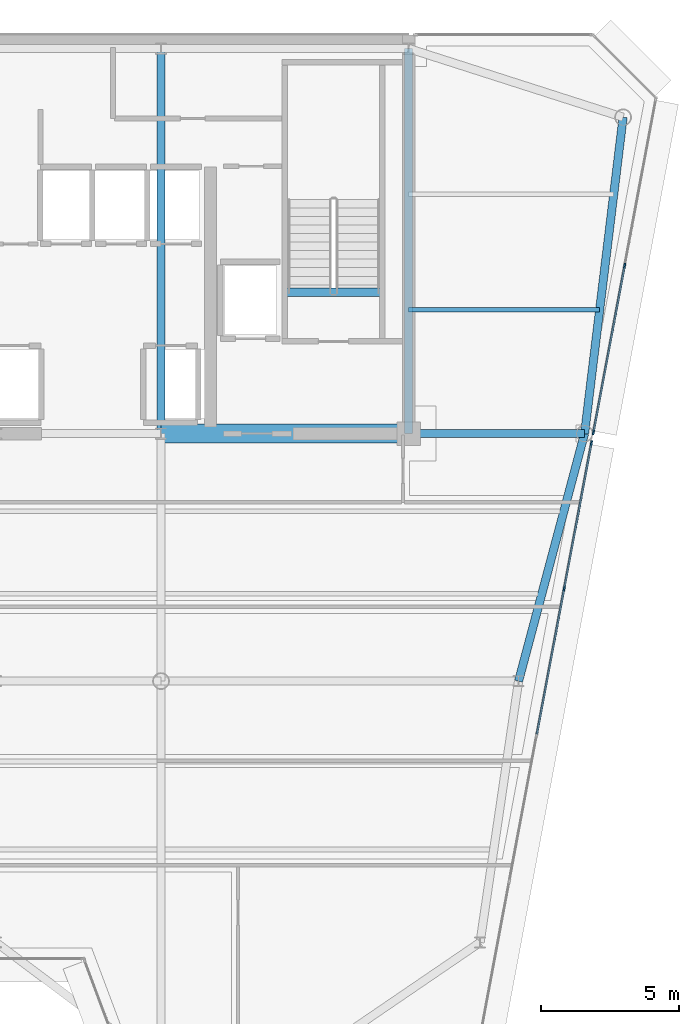
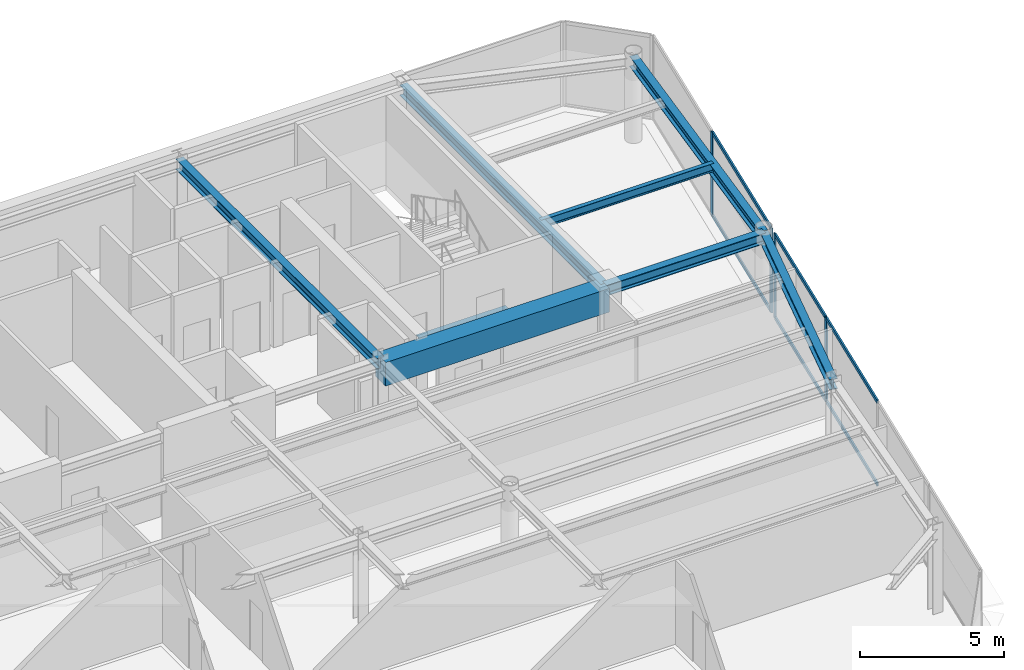
# One storey, part 7 of 20: 10 members, 8 beams, 2 elements without a shape of their own.
"""IFC4 building model written with IfcOpenShell, lengths in metres."""

from ifc_helpers import new_model, si_unit, direction, frame, origin, origin_2d, place, context, subcontext, project, spatial, rectangle, i_section, extrude, source, transform, mapped, material, layer, layer_set, material_profile, profile_set, type_object, element, aggregate, save


model = new_model("IFC4")

# Units and contexts
model_context = context("Model", 3, precision=1e-05, world=origin(), true_north=direction((0.0, 1.0)))
body_context = subcontext(model_context, "Body", "Model", "MODEL_VIEW")
ifc_project = project(units=[si_unit("LENGTHUNIT", "METRE"), si_unit("AREAUNIT", "SQUARE_METRE"), si_unit("VOLUMEUNIT", "CUBIC_METRE"), si_unit("PLANEANGLEUNIT", "RADIAN"), si_unit("MASSUNIT", "GRAM", prefix="KILO")], contexts=[model_context])

# Site, building, storey
site_placement = place(None, origin())
site = spatial("IfcSite", under=ifc_project, at=site_placement, CompositionType="ELEMENT")
building_placement = place(site_placement, origin())
building = spatial("IfcBuilding", under=site, at=building_placement, Name="Vaeldorn Concourse Tower", CompositionType="ELEMENT")
storey_placement = place(building_placement, frame((0.0, 0.0, 291.60009765625)))
storey = spatial("IfcBuildingStorey", under=building, at=storey_placement, Name="L75", CompositionType="ELEMENT", Elevation=291.60009765625)

# Beams
ifc_material_1 = material(Name="Concrete C50/60", Category="concrete")
ifc_material_profile_1 = material_profile(ifc_material_1, rectangle(XDim=0.699951171875, YDim=1.0, at=origin_2d()), Name="RC 700x1000")
ifc_profile_set_1 = profile_set([ifc_material_profile_1], Name="Concrete C50/60")
beam_type_1 = type_object("IfcBeamType", Name="BM-CB-RC700", PredefinedType="BEAM", material=ifc_profile_set_1)
shared_shape_1 = source(origin(), body_context, "Body", "SweptSolid", [
    extrude(rectangle(XDim=0.699951171875, YDim=1.0, at=origin_2d()), origin(), (0.0, 0.0, 1.0), 9.0),
])
beam_1_placement = place(storey_placement, frame((45.0, 36.5, 3.079833984375), z_axis=(1.0, 0.0, 0.0), x_axis=(0.0, 1.0, 0.0)))
element("IfcBeam", 1, at=beam_1_placement, inside=storey, type_object=beam_type_1, Name="Core Coupling Beam L75-2", PredefinedType="BEAM", context=body_context, shape_type="MappedRepresentation", body=[
    mapped(shared_shape_1, transform((0.0, 0.0, 0.0), scale=1.0)),
])
ifc_material_2 = material(Name="Steel S355", Category="steel")
ifc_material_profile_2 = material_profile(ifc_material_2, i_section(OverallWidth=0.300048828125, OverallDepth=0.340087890625, WebThickness=0.011962890625, FlangeThickness=0.021484375, FilletRadius=0.027099609375, at=origin_2d()), Name="HEB 340")
ifc_profile_set_2 = profile_set([ifc_material_profile_2], Name="Steel S355")
beam_type_2 = type_object("IfcBeamType", Name="BM-ST-TRIM", PredefinedType="BEAM", material=ifc_profile_set_2)
shared_shape_2 = source(origin(), body_context, "Body", "SweptSolid", [
    extrude(i_section(OverallWidth=0.300048828125, OverallDepth=0.340087890625, WebThickness=0.011962890625, FlangeThickness=0.021484375, FilletRadius=0.027099609375, at=origin_2d()), origin(), (0.0, 0.0, 1.0), 3.590087890625),
])
beam_2_placement = place(storey_placement, frame((49.47998046875, 41.639892578125, -0.39013671875), z_axis=(1.0, 0.0, 0.0), x_axis=(0.0, 1.0, 0.0)))
element("IfcBeam", 2, at=beam_2_placement, inside=storey, type_object=beam_type_2, Name="Stair Landing Trimmer Beam ST-2 L75", PredefinedType="BEAM", context=body_context, shape_type="MappedRepresentation", body=[
    mapped(shared_shape_2, transform((0.0, 0.0, 0.0), scale=1.0)),
])
ifc_material_profile_3 = material_profile(ifc_material_2, i_section(OverallWidth=0.169921875, OverallDepth=0.360107421875, WebThickness=0.008056640625, FlangeThickness=0.0126953125, FilletRadius=0.01806640625, at=origin_2d()), Name="IPE 360")
ifc_profile_set_3 = profile_set([ifc_material_profile_3], Name="Steel S355")
beam_type_3 = type_object("IfcBeamType", Name="BM-JS-IPE360", PredefinedType="JOIST", material=ifc_profile_set_3)
shared_shape_3 = source(origin(), body_context, "Body", "SweptSolid", [
    extrude(i_section(OverallWidth=0.169921875, OverallDepth=0.360107421875, WebThickness=0.008056640625, FlangeThickness=0.0126953125, FilletRadius=0.01806640625, at=origin_2d()), origin(), (0.0, 0.0, 1.0), 6.94775390625),
])
beam_3_placement = place(storey_placement, frame((54.0, 41.0, 3.39990234375), z_axis=(1.0, 0.0, 0.0), x_axis=(0.0, 1.0, 0.0)))
element("IfcBeam", 3, at=beam_3_placement, inside=storey, type_object=beam_type_3, Name="Beam JS-L75-NE-410", PredefinedType="JOIST", context=body_context, shape_type="MappedRepresentation", body=[
    mapped(shared_shape_3, transform((0.0, 0.0, 0.0), scale=1.0)),
])
ifc_material_profile_4 = material_profile(ifc_material_2, i_section(OverallWidth=0.300048828125, OverallDepth=0.449951171875, WebThickness=0.013916015625, FlangeThickness=0.02587890625, FilletRadius=0.027099609375, at=origin_2d()), Name="HEB 450")
ifc_profile_set_4 = profile_set([ifc_material_profile_4], Name="Steel S355")
beam_type_4 = type_object("IfcBeamType", Name="BM-PG-HEB450", PredefinedType="BEAM", material=ifc_profile_set_4)
shared_shape_4 = source(origin(), body_context, "Body", "SweptSolid", [
    extrude(i_section(OverallWidth=0.300048828125, OverallDepth=0.449951171875, WebThickness=0.013916015625, FlangeThickness=0.02587890625, FilletRadius=0.027099609375, at=origin_2d()), origin(), (0.0, 0.0, 1.0), 14.0),
])
for number, where, z_axis, x_axis, name in (
    (4, (45.0, 36.5, 3.35498046875), (0.0, 1.0, 0.0), (-1.0, 0.0, 0.0), "Beam BM-L75-C-FC5-C-HC4"),
    (5, (54.0, 36.5, 3.35498046875), (0.0, 1.0, 0.0), (-1.0, 0.0, 0.0), "Beam BM-L75-C-FC6-C-HC5"),
):
    element("IfcBeam", number, at=place(storey_placement, frame(where, z_axis=z_axis, x_axis=x_axis)), inside=storey, type_object=beam_type_4, Name=name, PredefinedType="BEAM", context=body_context, shape_type="MappedRepresentation", body=[
        mapped(shared_shape_4, transform((0.0, 0.0, 0.0), scale=1.0)),
    ])
shared_shape_5 = source(origin(), body_context, "Body", "SweptSolid", [
    extrude(i_section(OverallWidth=0.300048828125, OverallDepth=0.449951171875, WebThickness=0.013916015625, FlangeThickness=0.02587890625, FilletRadius=0.027099609375, at=origin_2d()), origin(), (0.0, 0.0, 1.0), 11.5849609375),
])
beam_4_placement = place(storey_placement, frame((61.800048828125, 48.0, 3.35498046875), z_axis=(-0.120859382899, -0.992669637677, 0.0), x_axis=(0.992669637677, -0.120859382899, 0.0)))
element("IfcBeam", 6, at=beam_4_placement, inside=storey, type_object=beam_type_4, Name="Beam BM-L75-C-NE1-C-NE2", PredefinedType="BEAM", context=body_context, shape_type="MappedRepresentation", body=[
    mapped(shared_shape_5, transform((0.0, 0.0, 0.0), scale=1.0)),
])
shared_shape_6 = source(origin(), body_context, "Body", "SweptSolid", [
    extrude(i_section(OverallWidth=0.300048828125, OverallDepth=0.449951171875, WebThickness=0.013916015625, FlangeThickness=0.02587890625, FilletRadius=0.027099609375, at=origin_2d()), origin(), (0.0, 0.0, 1.0), 6.39990234375),
])
beam_5_placement = place(storey_placement, frame((54.0, 36.5, 3.35498046875), z_axis=(1.0, 0.0, 0.0), x_axis=(0.0, 1.0, 0.0)))
element("IfcBeam", 7, at=beam_5_placement, inside=storey, type_object=beam_type_4, Name="Beam BM-L75-C-FC6-C-NE2", PredefinedType="BEAM", context=body_context, shape_type="MappedRepresentation", body=[
    mapped(shared_shape_6, transform((0.0, 0.0, 0.0), scale=1.0)),
])
shared_shape_7 = source(origin(), body_context, "Body", "SweptSolid", [
    extrude(i_section(OverallWidth=0.300048828125, OverallDepth=0.449951171875, WebThickness=0.013916015625, FlangeThickness=0.02587890625, FilletRadius=0.027099609375, at=origin_2d()), origin(), (0.0, 0.0, 1.0), 9.314453125),
])
beam_6_placement = place(storey_placement, frame((60.39990234375, 36.5, 3.35498046875), z_axis=(-0.257652862255, -0.966237549763, 0.0), x_axis=(0.966237549763, -0.257652862255, 0.0)))
element("IfcBeam", 8, at=beam_6_placement, inside=storey, type_object=beam_type_4, Name="Beam BM-L75-C-NE2-C-FLE1", PredefinedType="BEAM", context=body_context, shape_type="MappedRepresentation", body=[
    mapped(shared_shape_7, transform((0.0, 0.0, 0.0), scale=1.0)),
])

# Curtain wall, members
ifc_material_3 = material(Name="Anodised Bronze Aluminium", Category="aluminium")
ifc_layer = layer(ifc_material_3, 0.179931640625)
ifc_layer_set = layer_set([ifc_layer], Name="Anodised Bronze Aluminium")
curtain_wall_type = type_object("IfcCurtainWallType", Name="CW-SYS-05", PredefinedType="NOTDEFINED", material=ifc_layer_set)
curtain_wall_1_placement = place(storey_placement, origin())
curtain_wall_1 = element("IfcCurtainWall", 9, at=curtain_wall_1_placement, inside=storey, type_object=curtain_wall_type, Name="Unitised Curtain Wall CW-L75-E07-1", PredefinedType="NOTDEFINED")
ifc_material_profile_5 = material_profile(ifc_material_3, rectangle(XDim=0.06494140625, YDim=0.169921875, at=origin_2d()), Name="CWM 65x170")
ifc_profile_set_5 = profile_set([ifc_material_profile_5], Name="Anodised Bronze Aluminium")
member_type_1 = type_object("IfcMemberType", Name="CWM-BRONZE-170", PredefinedType="MULLION", material=ifc_profile_set_5)
shared_shape_8 = source(origin(), body_context, "Body", "SweptSolid", [
    extrude(rectangle(XDim=0.06494140625, YDim=0.169921875, at=origin_2d()), origin(), (0.0, 0.0, 1.0), 3.579833984375),
])
member_1_placement = place(storey_placement, frame((59.656494140625, 30.86376953125, 0.0), z_axis=(0.0, 0.0, 1.0), x_axis=(-0.982880027444, 0.184246714088, 0.0)))
member_1 = element("IfcMember", 10, at=member_1_placement, type_object=member_type_1, Name="CW-05 mullion 4", PredefinedType="MULLION", context=body_context, shape_type="MappedRepresentation", body=[
    mapped(shared_shape_8, transform((0.0, 0.0, 0.0), scale=1.0)),
])
member_2_placement = place(storey_placement, frame((60.64794921875, 36.153076171875, 0.0), z_axis=(0.0, 0.0, 1.0), x_axis=(-0.982880027444, 0.184246714088, 0.0)))
member_2 = element("IfcMember", 11, at=member_2_placement, type_object=member_type_1, Name="CW-05 mullion 5", PredefinedType="MULLION", context=body_context, shape_type="MappedRepresentation", body=[
    mapped(shared_shape_8, transform((0.0, 0.0, 0.0), scale=1.0)),
])

curtain_wall_2_placement = place(storey_placement, origin())
curtain_wall_2 = element("IfcCurtainWall", 12, at=curtain_wall_2_placement, inside=storey, type_object=curtain_wall_type, Name="Unitised Curtain Wall CW-L75-E07-2", PredefinedType="NOTDEFINED")
member_3_placement = place(storey_placement, frame((60.720947265625, 36.542236328125, 0.0), z_axis=(0.0, 0.0, 1.0), x_axis=(-0.982880218842, 0.184245693053, 0.0)))
member_3 = element("IfcMember", 13, at=member_3_placement, type_object=member_type_1, Name="CW-05 mullion 1", PredefinedType="MULLION", context=body_context, shape_type="MappedRepresentation", body=[
    mapped(shared_shape_8, transform((0.0, 0.0, 0.0), scale=1.0)),
])
member_4_placement = place(storey_placement, frame((61.857421875, 42.605224609375, 0.0), z_axis=(0.0, 0.0, 1.0), x_axis=(-0.982880218842, 0.184245693053, 0.0)))
member_4 = element("IfcMember", 14, at=member_4_placement, type_object=member_type_1, Name="CW-05 mullion 2", PredefinedType="MULLION", context=body_context, shape_type="MappedRepresentation", body=[
    mapped(shared_shape_8, transform((0.0, 0.0, 0.0), scale=1.0)),
])

# Member
ifc_material_profile_6 = material_profile(ifc_material_3, rectangle(XDim=0.06494140625, YDim=0.14990234375, at=origin_2d()), Name="CWT 65x150")
ifc_profile_set_6 = profile_set([ifc_material_profile_6], Name="Anodised Bronze Aluminium")
member_type_2 = type_object("IfcMemberType", Name="CWT-BRONZE-150", PredefinedType="USERDEFINED", material=ifc_profile_set_6)
shared_shape_9 = source(origin(), body_context, "Body", "SweptSolid", [
    extrude(rectangle(XDim=0.06494140625, YDim=0.14990234375, at=origin_2d()), origin(), (0.0, 0.0, 1.0), 5.31640625),
])
member_5_placement = place(storey_placement, frame((59.66259765625, 30.895751953125, 0.032470703125), z_axis=(0.184241399207, 0.982881023735, 0.0), x_axis=(-0.982881023735, 0.184241399207, 0.0)))
member_5 = element("IfcMember", 15, at=member_5_placement, type_object=member_type_2, Name="CW-05 transom 4.1", ObjectType="TRANSOM", PredefinedType="USERDEFINED", context=body_context, shape_type="MappedRepresentation", body=[
    mapped(shared_shape_9, transform((0.0, 0.0, 0.0), scale=1.0)),
])

member_6_placement = place(storey_placement, frame((59.66259765625, 30.895751953125, 3.54736328125), z_axis=(0.184241399207, 0.982881023735, 0.0), x_axis=(-0.982881023735, 0.184241399207, 0.0)))
member_6 = element("IfcMember", 16, at=member_6_placement, type_object=member_type_2, Name="CW-05 transom 4.2", ObjectType="TRANSOM", PredefinedType="USERDEFINED", context=body_context, shape_type="MappedRepresentation", body=[
    mapped(shared_shape_9, transform((0.0, 0.0, 0.0), scale=1.0)),
])

shared_shape_10 = source(origin(), body_context, "Body", "SweptSolid", [
    extrude(rectangle(XDim=0.06494140625, YDim=0.14990234375, at=origin_2d()), origin(), (0.0, 0.0, 1.0), 5.348876953125),
])
member_7_placement = place(storey_placement, frame((58.6650390625, 25.574462890625, 0.032470703125), z_axis=(0.184216882988, 0.982885618993, 0.0), x_axis=(-0.982885618993, 0.184216882988, 0.0)))
member_7 = element("IfcMember", 17, at=member_7_placement, type_object=member_type_2, Name="CW-05 transom 3.1", ObjectType="TRANSOM", PredefinedType="USERDEFINED", context=body_context, shape_type="MappedRepresentation", body=[
    mapped(shared_shape_10, transform((0.0, 0.0, 0.0), scale=1.0)),
])

member_8_placement = place(storey_placement, frame((58.6650390625, 25.574462890625, 3.54736328125), z_axis=(0.184216882988, 0.982885618993, 0.0), x_axis=(-0.982885618993, 0.184216882988, 0.0)))
member_8 = element("IfcMember", 18, at=member_8_placement, type_object=member_type_2, Name="CW-05 transom 3.2", ObjectType="TRANSOM", PredefinedType="USERDEFINED", context=body_context, shape_type="MappedRepresentation", body=[
    mapped(shared_shape_10, transform((0.0, 0.0, 0.0), scale=1.0)),
])

aggregate(curtain_wall_1, [member_1, member_2, member_7, member_8, member_5, member_6])

shared_shape_11 = source(origin(), body_context, "Body", "SweptSolid", [
    extrude(rectangle(XDim=0.06494140625, YDim=0.14990234375, at=origin_2d()), origin(), (0.0, 0.0, 1.0), 6.103515625),
])
member_9_placement = place(storey_placement, frame((60.72705078125, 36.57421875, 0.032470703125), z_axis=(0.18424023288, 0.982881242363, 0.0), x_axis=(-0.982881242363, 0.18424023288, 0.0)))
member_9 = element("IfcMember", 19, at=member_9_placement, type_object=member_type_2, Name="CW-05 transom 1.1", ObjectType="TRANSOM", PredefinedType="USERDEFINED", context=body_context, shape_type="MappedRepresentation", body=[
    mapped(shared_shape_11, transform((0.0, 0.0, 0.0), scale=1.0)),
])

member_10_placement = place(storey_placement, frame((60.72705078125, 36.57421875, 3.54736328125), z_axis=(0.18424023288, 0.982881242363, 0.0), x_axis=(-0.982881242363, 0.18424023288, 0.0)))
member_10 = element("IfcMember", 20, at=member_10_placement, type_object=member_type_2, Name="CW-05 transom 1.2", ObjectType="TRANSOM", PredefinedType="USERDEFINED", context=body_context, shape_type="MappedRepresentation", body=[
    mapped(shared_shape_11, transform((0.0, 0.0, 0.0), scale=1.0)),
])

aggregate(curtain_wall_2, [member_3, member_4, member_9, member_10])

save(model, "model.ifc")
